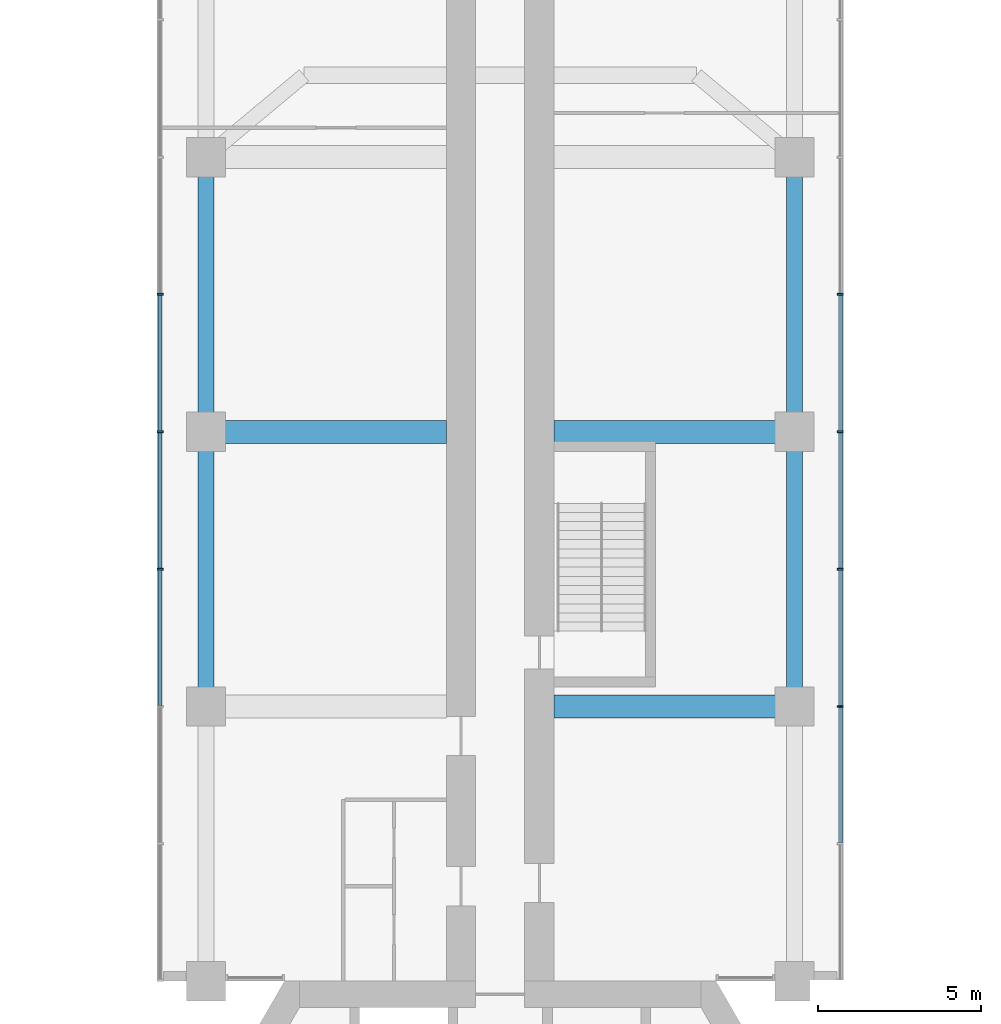
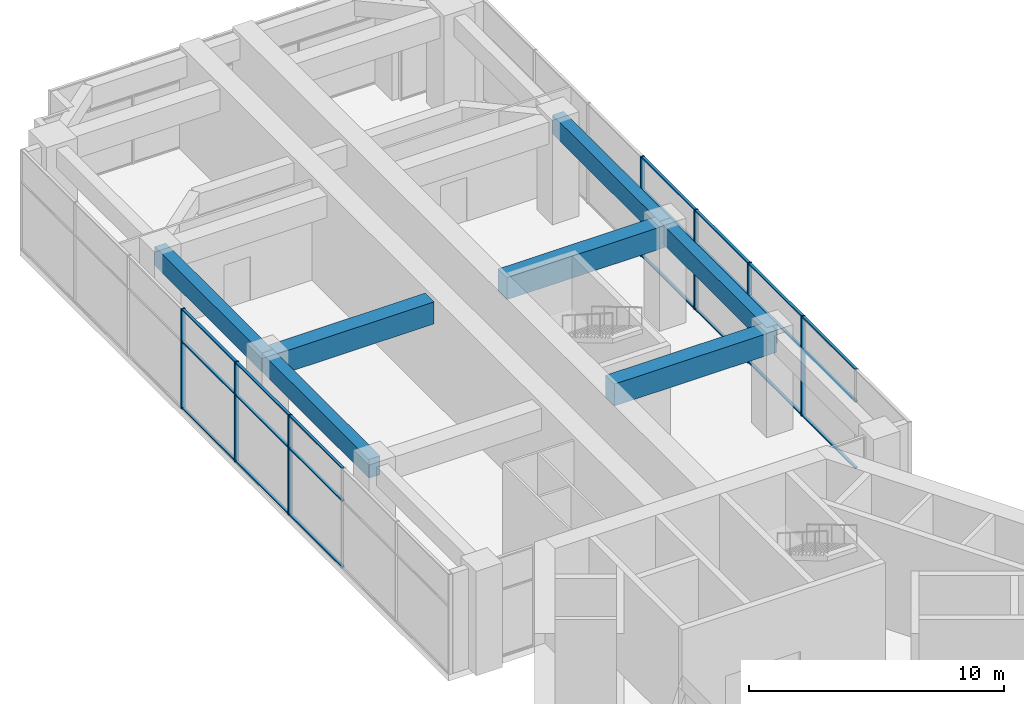
# One storey, part 8 of 20: 28 members, 7 beams, 2 elements without a shape of their own.
"""IFC4 building model written with IfcOpenShell, lengths in metres."""

from ifc_helpers import new_model, si_unit, direction, frame, origin, origin_2d, place, context, subcontext, project, spatial, rectangle, extrude, material, material_profile, profile_set, type_object, element, aggregate, save


model = new_model("IFC4")

# Units and contexts
model_context = context("Model", 3, precision=1e-05, world=origin(), true_north=direction((0.0, 1.0)))
body_context = subcontext(model_context, "Body", "Model", "MODEL_VIEW")
ifc_project = project(units=[si_unit("LENGTHUNIT", "METRE"), si_unit("AREAUNIT", "SQUARE_METRE"), si_unit("VOLUMEUNIT", "CUBIC_METRE"), si_unit("PLANEANGLEUNIT", "RADIAN"), si_unit("MASSUNIT", "GRAM", prefix="KILO")], contexts=[model_context])

# Site, building, storey
site_placement = place(None, origin())
site = spatial("IfcSite", under=ifc_project, at=site_placement, CompositionType="ELEMENT")
building_placement = place(site_placement, origin())
building = spatial("IfcBuilding", under=site, at=building_placement, Name="Impinga Residences", CompositionType="ELEMENT")
storey_placement = place(building_placement, frame((0.0, 0.0, 101.0)))
storey = spatial("IfcBuildingStorey", under=building, at=storey_placement, Name="L24", CompositionType="ELEMENT", Elevation=101.0)

# Beams
ifc_material_1 = material(Name="Concrete C60/75", Category="concrete")
ifc_material_profile_1 = material_profile(ifc_material_1, rectangle(XDim=0.699951171875, YDim=1.050048828125, at=origin_2d()), Name="RC 700x1050")
ifc_profile_set_1 = profile_set([ifc_material_profile_1], Name="Concrete C60/75")
beam_type_1 = type_object("IfcBeamType", Name="CG1 700x1050 cross girder on a wing bay line", PredefinedType="BEAM", material=ifc_profile_set_1)
for number, where, z_axis, x_axis, name in (
    (1, (-1.64990234375, 28.2314453125, 4.2548828125), (-1.0, 0.0, 0.0), (0.0, -1.0, 0.0), "Beam CG1 N3 NC/NA level L25"),
    (2, (1.64990234375, 19.83154296875, 4.2548828125), (1.0, 0.0, 0.0), (0.0, 1.0, 0.0), "Beam CG1 N2 NC/NF level L25"),
    (3, (1.64990234375, 28.2314453125, 4.2548828125), (1.0, 0.0, 0.0), (0.0, 1.0, 0.0), "Beam CG1 N3 NC/NF level L25"),
):
    element("IfcBeam", number, at=place(storey_placement, frame(where, z_axis=z_axis, x_axis=x_axis)), inside=storey, type_object=beam_type_1, Name=name, PredefinedType="BEAM", context=body_context, shape_type="SweptSolid", body=[
        extrude(rectangle(XDim=0.699951171875, YDim=1.050048828125, at=origin_2d()), origin(), (0.0, 0.0, 1.0), 7.35009765625),
    ])

# Curtain wall, members
ifc_material_2 = material(Name="Aluminium stick curtain wall", Category="aluminium")
curtain_wall_type = type_object("IfcCurtainWallType", Name="CW2 sky amenity curtain wall", PredefinedType="USERDEFINED", material=ifc_material_2)
curtain_wall_1_placement = place(storey_placement, origin())
curtain_wall_1 = element("IfcCurtainWall", 4, at=curtain_wall_1_placement, inside=storey, type_object=curtain_wall_type, Name="Curtain wall CW2 L24", ObjectType="STICK CURTAIN WALL", PredefinedType="USERDEFINED")
ifc_material_3 = material(Name="Aluminium mullion", Category="aluminium")
ifc_material_profile_2 = material_profile(ifc_material_3, rectangle(XDim=0.06005859375, YDim=0.179931640625, at=origin_2d()), Name="60x180 mullion")
ifc_profile_set_2 = profile_set([ifc_material_profile_2], Name="Aluminium mullion")
member_type_1 = type_object("IfcMemberType", Name="CW2-M mullion 60x180", PredefinedType="MULLION", material=ifc_profile_set_2)
member_1_placement = place(storey_placement, frame((-10.39990234375, 24.031494140625, 0.0), z_axis=(0.0, 0.0, 1.0), x_axis=(0.0, 1.0, 0.0)))
member_1 = element("IfcMember", 5, at=member_1_placement, type_object=member_type_1, Name="CW2 mullion 4", PredefinedType="MULLION", context=body_context, shape_type="SweptSolid", body=[
    extrude(rectangle(XDim=0.06005859375, YDim=0.179931640625, at=origin_2d()), origin(), (0.0, 0.0, 1.0), 4.780029296875),
])
member_2_placement = place(storey_placement, frame((-10.39990234375, 28.2314453125, 0.0), z_axis=(0.0, 0.0, 1.0), x_axis=(0.0, 1.0, 0.0)))
member_2 = element("IfcMember", 6, at=member_2_placement, type_object=member_type_1, Name="CW2 mullion 5", PredefinedType="MULLION", context=body_context, shape_type="SweptSolid", body=[
    extrude(rectangle(XDim=0.06005859375, YDim=0.179931640625, at=origin_2d()), origin(), (0.0, 0.0, 1.0), 4.780029296875),
])
member_3_placement = place(storey_placement, frame((-10.39990234375, 32.431640625, 0.0), z_axis=(0.0, 0.0, 1.0), x_axis=(0.0, 1.0, 0.0)))
member_3 = element("IfcMember", 7, at=member_3_placement, type_object=member_type_1, Name="CW2 mullion 6", PredefinedType="MULLION", context=body_context, shape_type="SweptSolid", body=[
    extrude(rectangle(XDim=0.06005859375, YDim=0.179931640625, at=origin_2d()), origin(), (0.0, 0.0, 1.0), 4.780029296875),
])

curtain_wall_2_placement = place(storey_placement, origin())
curtain_wall_2 = element("IfcCurtainWall", 8, at=curtain_wall_2_placement, inside=storey, type_object=curtain_wall_type, Name="Curtain wall CW2 L24", ObjectType="STICK CURTAIN WALL", PredefinedType="USERDEFINED")
member_4_placement = place(storey_placement, frame((10.39990234375, 32.431640625, 0.0), z_axis=(0.0, 0.0, 1.0), x_axis=(0.0, -1.0, 0.0)))
member_4 = element("IfcMember", 9, at=member_4_placement, type_object=member_type_1, Name="CW2 mullion 4", PredefinedType="MULLION", context=body_context, shape_type="SweptSolid", body=[
    extrude(rectangle(XDim=0.06005859375, YDim=0.179931640625, at=origin_2d()), origin(), (0.0, 0.0, 1.0), 4.780029296875),
])
member_5_placement = place(storey_placement, frame((10.39990234375, 28.2314453125, 0.0), z_axis=(0.0, 0.0, 1.0), x_axis=(0.0, -1.0, 0.0)))
member_5 = element("IfcMember", 10, at=member_5_placement, type_object=member_type_1, Name="CW2 mullion 5", PredefinedType="MULLION", context=body_context, shape_type="SweptSolid", body=[
    extrude(rectangle(XDim=0.06005859375, YDim=0.179931640625, at=origin_2d()), origin(), (0.0, 0.0, 1.0), 4.780029296875),
])
member_6_placement = place(storey_placement, frame((10.39990234375, 24.031494140625, 0.0), z_axis=(0.0, 0.0, 1.0), x_axis=(0.0, -1.0, 0.0)))
member_6 = element("IfcMember", 11, at=member_6_placement, type_object=member_type_1, Name="CW2 mullion 6", PredefinedType="MULLION", context=body_context, shape_type="SweptSolid", body=[
    extrude(rectangle(XDim=0.06005859375, YDim=0.179931640625, at=origin_2d()), origin(), (0.0, 0.0, 1.0), 4.780029296875),
])
member_7_placement = place(storey_placement, frame((10.39990234375, 19.83154296875, 0.0), z_axis=(0.0, 0.0, 1.0), x_axis=(0.0, -1.0, 0.0)))
member_7 = element("IfcMember", 12, at=member_7_placement, type_object=member_type_1, Name="CW2 mullion 7", PredefinedType="MULLION", context=body_context, shape_type="SweptSolid", body=[
    extrude(rectangle(XDim=0.06005859375, YDim=0.179931640625, at=origin_2d()), origin(), (0.0, 0.0, 1.0), 4.780029296875),
])

# Member
ifc_material_4 = material(Name="Aluminium transom", Category="aluminium")
ifc_material_profile_3 = material_profile(ifc_material_4, rectangle(XDim=0.06005859375, YDim=0.1201171875, at=origin_2d()), Name="60x120 transom")
ifc_profile_set_3 = profile_set([ifc_material_profile_3], Name="Aluminium transom")
member_type_2 = type_object("IfcMemberType", Name="CW2-T transom 60x120", PredefinedType="USERDEFINED", material=ifc_profile_set_3)
member_8_placement = place(storey_placement, frame((-10.39990234375, 19.861572265625, 0.030029296875), z_axis=(0.0, 1.0, 0.0), x_axis=(0.0, 0.0, 1.0)))
member_8 = element("IfcMember", 13, at=member_8_placement, type_object=member_type_2, Name="CW2 transom 3.1", ObjectType="TRANSOM", PredefinedType="USERDEFINED", context=body_context, shape_type="SweptSolid", body=[
    extrude(rectangle(XDim=0.06005859375, YDim=0.1201171875, at=origin_2d()), origin(), (0.0, 0.0, 1.0), 4.139892578125),
])

member_9_placement = place(storey_placement, frame((-10.39990234375, 19.861572265625, 3.199951171875), z_axis=(0.0, 1.0, 0.0), x_axis=(0.0, 0.0, 1.0)))
member_9 = element("IfcMember", 14, at=member_9_placement, type_object=member_type_2, Name="CW2 transom 3.2", ObjectType="TRANSOM", PredefinedType="USERDEFINED", context=body_context, shape_type="SweptSolid", body=[
    extrude(rectangle(XDim=0.06005859375, YDim=0.1201171875, at=origin_2d()), origin(), (0.0, 0.0, 1.0), 4.139892578125),
])

member_10_placement = place(storey_placement, frame((-10.39990234375, 19.861572265625, 4.75), z_axis=(0.0, 1.0, 0.0), x_axis=(0.0, 0.0, 1.0)))
member_10 = element("IfcMember", 15, at=member_10_placement, type_object=member_type_2, Name="CW2 transom 3.3", ObjectType="TRANSOM", PredefinedType="USERDEFINED", context=body_context, shape_type="SweptSolid", body=[
    extrude(rectangle(XDim=0.06005859375, YDim=0.1201171875, at=origin_2d()), origin(), (0.0, 0.0, 1.0), 4.139892578125),
])

member_11_placement = place(storey_placement, frame((-10.39990234375, 24.0615234375, 0.030029296875), z_axis=(0.0, 1.0, 0.0), x_axis=(0.0, 0.0, 1.0)))
member_11 = element("IfcMember", 16, at=member_11_placement, type_object=member_type_2, Name="CW2 transom 4.1", ObjectType="TRANSOM", PredefinedType="USERDEFINED", context=body_context, shape_type="SweptSolid", body=[
    extrude(rectangle(XDim=0.06005859375, YDim=0.1201171875, at=origin_2d()), origin(), (0.0, 0.0, 1.0), 4.139892578125),
])

member_12_placement = place(storey_placement, frame((-10.39990234375, 24.0615234375, 3.199951171875), z_axis=(0.0, 1.0, 0.0), x_axis=(0.0, 0.0, 1.0)))
member_12 = element("IfcMember", 17, at=member_12_placement, type_object=member_type_2, Name="CW2 transom 4.2", ObjectType="TRANSOM", PredefinedType="USERDEFINED", context=body_context, shape_type="SweptSolid", body=[
    extrude(rectangle(XDim=0.06005859375, YDim=0.1201171875, at=origin_2d()), origin(), (0.0, 0.0, 1.0), 4.139892578125),
])

member_13_placement = place(storey_placement, frame((-10.39990234375, 24.0615234375, 4.75), z_axis=(0.0, 1.0, 0.0), x_axis=(0.0, 0.0, 1.0)))
member_13 = element("IfcMember", 18, at=member_13_placement, type_object=member_type_2, Name="CW2 transom 4.3", ObjectType="TRANSOM", PredefinedType="USERDEFINED", context=body_context, shape_type="SweptSolid", body=[
    extrude(rectangle(XDim=0.06005859375, YDim=0.1201171875, at=origin_2d()), origin(), (0.0, 0.0, 1.0), 4.139892578125),
])

member_14_placement = place(storey_placement, frame((-10.39990234375, 28.261474609375, 0.030029296875), z_axis=(0.0, 1.0, 0.0), x_axis=(0.0, 0.0, 1.0)))
member_14 = element("IfcMember", 19, at=member_14_placement, type_object=member_type_2, Name="CW2 transom 5.1", ObjectType="TRANSOM", PredefinedType="USERDEFINED", context=body_context, shape_type="SweptSolid", body=[
    extrude(rectangle(XDim=0.06005859375, YDim=0.1201171875, at=origin_2d()), origin(), (0.0, 0.0, 1.0), 4.14013671875),
])

member_15_placement = place(storey_placement, frame((-10.39990234375, 28.261474609375, 3.199951171875), z_axis=(0.0, 1.0, 0.0), x_axis=(0.0, 0.0, 1.0)))
member_15 = element("IfcMember", 20, at=member_15_placement, type_object=member_type_2, Name="CW2 transom 5.2", ObjectType="TRANSOM", PredefinedType="USERDEFINED", context=body_context, shape_type="SweptSolid", body=[
    extrude(rectangle(XDim=0.06005859375, YDim=0.1201171875, at=origin_2d()), origin(), (0.0, 0.0, 1.0), 4.14013671875),
])

member_16_placement = place(storey_placement, frame((-10.39990234375, 28.261474609375, 4.75), z_axis=(0.0, 1.0, 0.0), x_axis=(0.0, 0.0, 1.0)))
member_16 = element("IfcMember", 21, at=member_16_placement, type_object=member_type_2, Name="CW2 transom 5.3", ObjectType="TRANSOM", PredefinedType="USERDEFINED", context=body_context, shape_type="SweptSolid", body=[
    extrude(rectangle(XDim=0.06005859375, YDim=0.1201171875, at=origin_2d()), origin(), (0.0, 0.0, 1.0), 4.14013671875),
])

aggregate(curtain_wall_1, [member_1, member_2, member_3, member_8, member_9, member_10, member_11, member_12, member_13, member_14, member_15, member_16])

member_17_placement = place(storey_placement, frame((10.39990234375, 32.401611328125, 0.030029296875), z_axis=(0.0, -1.0, 0.0), x_axis=(0.0, 0.0, 1.0)))
member_17 = element("IfcMember", 22, at=member_17_placement, type_object=member_type_2, Name="CW2 transom 4.1", ObjectType="TRANSOM", PredefinedType="USERDEFINED", context=body_context, shape_type="SweptSolid", body=[
    extrude(rectangle(XDim=0.06005859375, YDim=0.1201171875, at=origin_2d()), origin(), (0.0, 0.0, 1.0), 4.14013671875),
])

member_18_placement = place(storey_placement, frame((10.39990234375, 32.401611328125, 3.199951171875), z_axis=(0.0, -1.0, 0.0), x_axis=(0.0, 0.0, 1.0)))
member_18 = element("IfcMember", 23, at=member_18_placement, type_object=member_type_2, Name="CW2 transom 4.2", ObjectType="TRANSOM", PredefinedType="USERDEFINED", context=body_context, shape_type="SweptSolid", body=[
    extrude(rectangle(XDim=0.06005859375, YDim=0.1201171875, at=origin_2d()), origin(), (0.0, 0.0, 1.0), 4.14013671875),
])

member_19_placement = place(storey_placement, frame((10.39990234375, 32.401611328125, 4.75), z_axis=(0.0, -1.0, 0.0), x_axis=(0.0, 0.0, 1.0)))
member_19 = element("IfcMember", 24, at=member_19_placement, type_object=member_type_2, Name="CW2 transom 4.3", ObjectType="TRANSOM", PredefinedType="USERDEFINED", context=body_context, shape_type="SweptSolid", body=[
    extrude(rectangle(XDim=0.06005859375, YDim=0.1201171875, at=origin_2d()), origin(), (0.0, 0.0, 1.0), 4.14013671875),
])

member_20_placement = place(storey_placement, frame((10.39990234375, 28.201416015625, 0.030029296875), z_axis=(0.0, -1.0, 0.0), x_axis=(0.0, 0.0, 1.0)))
member_20 = element("IfcMember", 25, at=member_20_placement, type_object=member_type_2, Name="CW2 transom 5.1", ObjectType="TRANSOM", PredefinedType="USERDEFINED", context=body_context, shape_type="SweptSolid", body=[
    extrude(rectangle(XDim=0.06005859375, YDim=0.1201171875, at=origin_2d()), origin(), (0.0, 0.0, 1.0), 4.139892578125),
])

member_21_placement = place(storey_placement, frame((10.39990234375, 28.201416015625, 3.199951171875), z_axis=(0.0, -1.0, 0.0), x_axis=(0.0, 0.0, 1.0)))
member_21 = element("IfcMember", 26, at=member_21_placement, type_object=member_type_2, Name="CW2 transom 5.2", ObjectType="TRANSOM", PredefinedType="USERDEFINED", context=body_context, shape_type="SweptSolid", body=[
    extrude(rectangle(XDim=0.06005859375, YDim=0.1201171875, at=origin_2d()), origin(), (0.0, 0.0, 1.0), 4.139892578125),
])

member_22_placement = place(storey_placement, frame((10.39990234375, 28.201416015625, 4.75), z_axis=(0.0, -1.0, 0.0), x_axis=(0.0, 0.0, 1.0)))
member_22 = element("IfcMember", 27, at=member_22_placement, type_object=member_type_2, Name="CW2 transom 5.3", ObjectType="TRANSOM", PredefinedType="USERDEFINED", context=body_context, shape_type="SweptSolid", body=[
    extrude(rectangle(XDim=0.06005859375, YDim=0.1201171875, at=origin_2d()), origin(), (0.0, 0.0, 1.0), 4.139892578125),
])

member_23_placement = place(storey_placement, frame((10.39990234375, 24.00146484375, 0.030029296875), z_axis=(0.0, -1.0, 0.0), x_axis=(0.0, 0.0, 1.0)))
member_23 = element("IfcMember", 28, at=member_23_placement, type_object=member_type_2, Name="CW2 transom 6.1", ObjectType="TRANSOM", PredefinedType="USERDEFINED", context=body_context, shape_type="SweptSolid", body=[
    extrude(rectangle(XDim=0.06005859375, YDim=0.1201171875, at=origin_2d()), origin(), (0.0, 0.0, 1.0), 4.139892578125),
])

member_24_placement = place(storey_placement, frame((10.39990234375, 24.00146484375, 3.199951171875), z_axis=(0.0, -1.0, 0.0), x_axis=(0.0, 0.0, 1.0)))
member_24 = element("IfcMember", 29, at=member_24_placement, type_object=member_type_2, Name="CW2 transom 6.2", ObjectType="TRANSOM", PredefinedType="USERDEFINED", context=body_context, shape_type="SweptSolid", body=[
    extrude(rectangle(XDim=0.06005859375, YDim=0.1201171875, at=origin_2d()), origin(), (0.0, 0.0, 1.0), 4.139892578125),
])

member_25_placement = place(storey_placement, frame((10.39990234375, 24.00146484375, 4.75), z_axis=(0.0, -1.0, 0.0), x_axis=(0.0, 0.0, 1.0)))
member_25 = element("IfcMember", 30, at=member_25_placement, type_object=member_type_2, Name="CW2 transom 6.3", ObjectType="TRANSOM", PredefinedType="USERDEFINED", context=body_context, shape_type="SweptSolid", body=[
    extrude(rectangle(XDim=0.06005859375, YDim=0.1201171875, at=origin_2d()), origin(), (0.0, 0.0, 1.0), 4.139892578125),
])

member_26_placement = place(storey_placement, frame((10.39990234375, 19.801513671875, 0.030029296875), z_axis=(0.0, -1.0, 0.0), x_axis=(0.0, 0.0, 1.0)))
member_26 = element("IfcMember", 31, at=member_26_placement, type_object=member_type_2, Name="CW2 transom 7.1", ObjectType="TRANSOM", PredefinedType="USERDEFINED", context=body_context, shape_type="SweptSolid", body=[
    extrude(rectangle(XDim=0.06005859375, YDim=0.1201171875, at=origin_2d()), origin(), (0.0, 0.0, 1.0), 4.139892578125),
])

member_27_placement = place(storey_placement, frame((10.39990234375, 19.801513671875, 3.199951171875), z_axis=(0.0, -1.0, 0.0), x_axis=(0.0, 0.0, 1.0)))
member_27 = element("IfcMember", 32, at=member_27_placement, type_object=member_type_2, Name="CW2 transom 7.2", ObjectType="TRANSOM", PredefinedType="USERDEFINED", context=body_context, shape_type="SweptSolid", body=[
    extrude(rectangle(XDim=0.06005859375, YDim=0.1201171875, at=origin_2d()), origin(), (0.0, 0.0, 1.0), 4.139892578125),
])

member_28_placement = place(storey_placement, frame((10.39990234375, 19.801513671875, 4.75), z_axis=(0.0, -1.0, 0.0), x_axis=(0.0, 0.0, 1.0)))
member_28 = element("IfcMember", 33, at=member_28_placement, type_object=member_type_2, Name="CW2 transom 7.3", ObjectType="TRANSOM", PredefinedType="USERDEFINED", context=body_context, shape_type="SweptSolid", body=[
    extrude(rectangle(XDim=0.06005859375, YDim=0.1201171875, at=origin_2d()), origin(), (0.0, 0.0, 1.0), 4.139892578125),
])

aggregate(curtain_wall_2, [member_4, member_5, member_6, member_7, member_17, member_18, member_19, member_20, member_21, member_22, member_23, member_24, member_25, member_26, member_27, member_28])

# Beams
ifc_material_profile_4 = material_profile(ifc_material_1, rectangle(XDim=0.5, YDim=0.89990234375, at=origin_2d()), Name="RC 500x900")
ifc_profile_set_4 = profile_set([ifc_material_profile_4], Name="Concrete C60/75")
beam_type_2 = type_object("IfcBeamType", Name="SB1 500x900 perimeter spandrel beam", PredefinedType="SPANDREL", material=ifc_profile_set_4)
beam_1_placement = place(storey_placement, frame((-9.0, 19.83154296875, 4.330078125), z_axis=(0.0, 1.0, 0.0), x_axis=(-1.0, 0.0, 0.0)))
element("IfcBeam", 34, at=beam_1_placement, inside=storey, type_object=beam_type_2, Name="Beam SB1 NA N2-N3 level L25", PredefinedType="SPANDREL", context=body_context, shape_type="SweptSolid", body=[
    extrude(rectangle(XDim=0.5, YDim=0.89990234375, at=origin_2d()), origin(), (0.0, 0.0, 1.0), 8.39990234375),
])
beam_2_placement = place(storey_placement, frame((-9.0, 28.2314453125, 4.330078125), z_axis=(0.0, 1.0, 0.0), x_axis=(-1.0, 0.0, 0.0)))
element("IfcBeam", 35, at=beam_2_placement, inside=storey, type_object=beam_type_2, Name="Beam SB1 NA N3-N4 level L25", PredefinedType="SPANDREL", context=body_context, shape_type="SweptSolid", body=[
    extrude(rectangle(XDim=0.5, YDim=0.89990234375, at=origin_2d()), origin(), (0.0, 0.0, 1.0), 8.400146484375),
])
beam_3_placement = place(storey_placement, frame((9.0, 19.83154296875, 4.330078125), z_axis=(0.0, 1.0, 0.0), x_axis=(-1.0, 0.0, 0.0)))
element("IfcBeam", 36, at=beam_3_placement, inside=storey, type_object=beam_type_2, Name="Beam SB1 NF N2-N3 level L25", PredefinedType="SPANDREL", context=body_context, shape_type="SweptSolid", body=[
    extrude(rectangle(XDim=0.5, YDim=0.89990234375, at=origin_2d()), origin(), (0.0, 0.0, 1.0), 8.39990234375),
])
beam_4_placement = place(storey_placement, frame((9.0, 28.2314453125, 4.330078125), z_axis=(0.0, 1.0, 0.0), x_axis=(-1.0, 0.0, 0.0)))
element("IfcBeam", 37, at=beam_4_placement, inside=storey, type_object=beam_type_2, Name="Beam SB1 NF N3-N4 level L25", PredefinedType="SPANDREL", context=body_context, shape_type="SweptSolid", body=[
    extrude(rectangle(XDim=0.5, YDim=0.89990234375, at=origin_2d()), origin(), (0.0, 0.0, 1.0), 8.400146484375),
])

save(model, "model.ifc")
